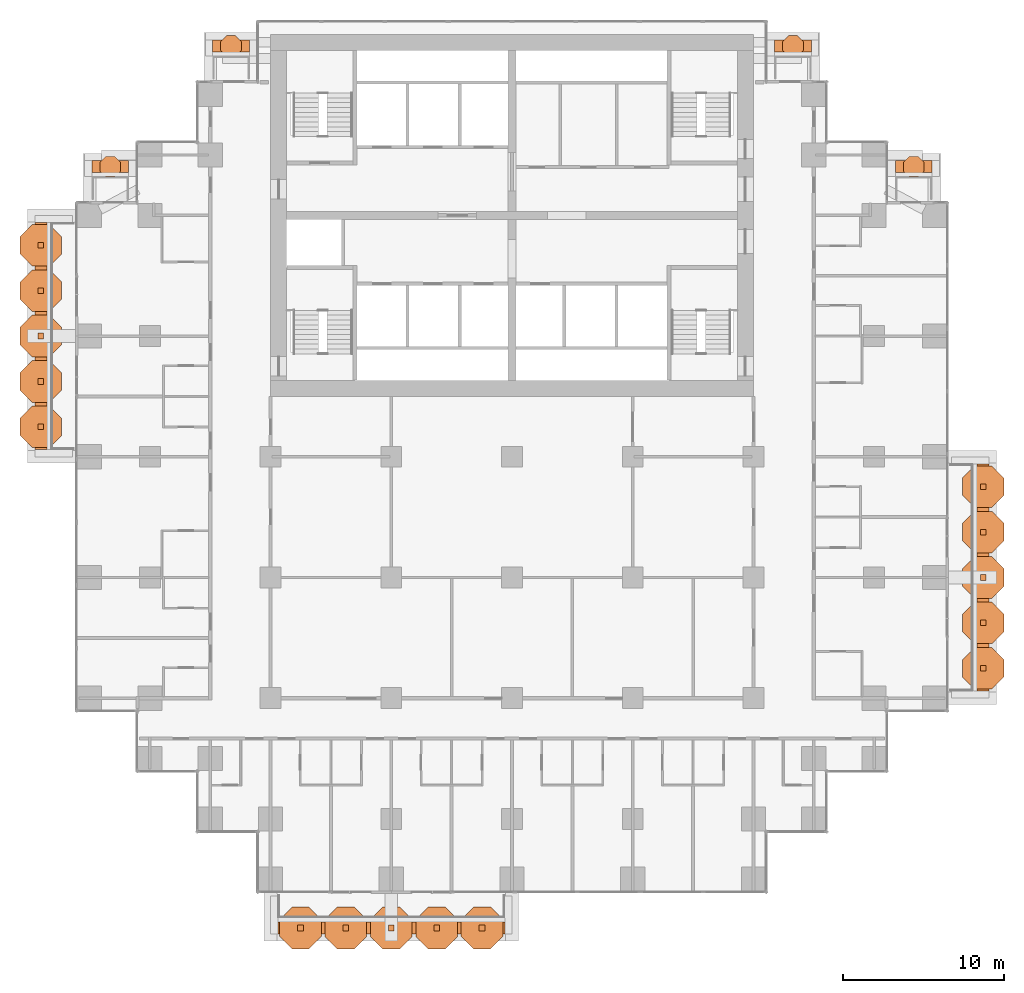
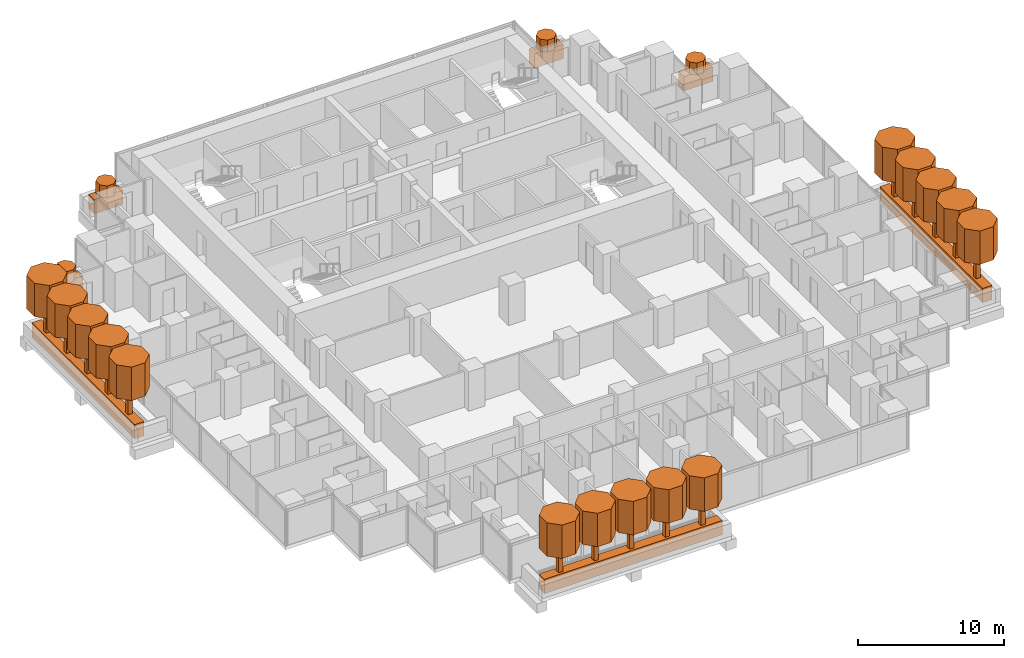
# One storey, part 19 of 19: 41 geographic elements.
"""IFC4 building model written with IfcOpenShell, lengths in metres."""

from ifc_helpers import new_model, si_unit, direction, frame, origin, origin_2d, place, context, subcontext, project, spatial, polyline, rectangle, outline, extrude, material, material_profile, profile_set, type_object, element, save


model = new_model("IFC4")

# Units and contexts
model_context = context("Model", 3, precision=1e-05, world=origin(), true_north=direction((0.0, 1.0)))
body_context = subcontext(model_context, "Body", "Model", "MODEL_VIEW")
ifc_project = project(units=[si_unit("LENGTHUNIT", "METRE"), si_unit("AREAUNIT", "SQUARE_METRE"), si_unit("VOLUMEUNIT", "CUBIC_METRE"), si_unit("PLANEANGLEUNIT", "RADIAN"), si_unit("MASSUNIT", "GRAM", prefix="KILO")], contexts=[model_context])

# Site, building, storey
site_placement = place(None, origin())
site = spatial("IfcSite", under=ifc_project, at=site_placement, CompositionType="ELEMENT")
building_placement = place(site_placement, origin())
building = spatial("IfcBuilding", under=site, at=building_placement, Name="Pilkhan Gate Tower", CompositionType="ELEMENT")
storey_placement = place(building_placement, frame((0.0, 0.0, 69.199951171875)))
storey = spatial("IfcBuildingStorey", under=building, at=storey_placement, Name="L15", CompositionType="ELEMENT", Elevation=69.199951171875)

# Geographic elements
ifc_material_1 = material(Name="Foliage")
ifc_material_profile_1 = material_profile(ifc_material_1, rectangle(XDim=0.75, YDim=1.199951171875, at=origin_2d()), Name="Bed 750x1200")
ifc_profile_set_1 = profile_set([ifc_material_profile_1], Name="Foliage")
geographic_element_type_1 = type_object("IfcGeographicElementType", Name="Planting bed PB1", PredefinedType="USERDEFINED", material=ifc_profile_set_1)
for number, where, z_axis, x_axis, name in (
    (1, (60.449951171875, 38.22509765625, 0.60009765625), (1.0, 0.0, 0.0), (0.0, 1.0, 0.0), "Balcony L15 S planting bed"),
    (2, (104.27490234375, 52.949951171875, 0.60009765625), (0.0, 1.0, 0.0), (-1.0, 0.0, 0.0), "Balcony L15 E planting bed"),
):
    element("IfcGeographicElement", number, at=place(storey_placement, frame(where, z_axis=z_axis, x_axis=x_axis)), inside=storey, type_object=geographic_element_type_1, Name=name, ObjectType="PLANTING BED", PredefinedType="USERDEFINED", context=body_context, shape_type="SweptSolid", body=[
        extrude(rectangle(XDim=0.75, YDim=1.199951171875, at=origin_2d()), origin(), (0.0, 0.0, 1.0), 14.10009765625),
    ])
for number, where, z_axis, x_axis, name in (
    (3, (56.39990234375, 93.02490234375, 0.60009765625), (1.0, 0.0, 0.0), (0.0, 1.0, 0.0), "Balcony L15 N planting bed"),
    (4, (91.300048828125, 93.02490234375, 0.60009765625), (1.0, 0.0, 0.0), (0.0, 1.0, 0.0), "Balcony L15 N planting bed"),
):
    element("IfcGeographicElement", number, at=place(storey_placement, frame(where, z_axis=z_axis, x_axis=x_axis)), inside=storey, type_object=geographic_element_type_1, Name=name, ObjectType="PLANTING BED", PredefinedType="USERDEFINED", context=body_context, shape_type="SweptSolid", body=[
        extrude(rectangle(XDim=0.75, YDim=1.199951171875, at=origin_2d()), origin(), (0.0, 0.0, 1.0), 2.300048828125),
    ])
for number, where, z_axis, x_axis, name in (
    (5, (48.89990234375, 85.52490234375, 0.60009765625), (1.0, 0.0, 0.0), (0.0, 1.0, 0.0), "Balcony L15 N planting bed"),
    (6, (98.820068359375, 85.52490234375, 0.60009765625), (1.0, 0.0, 0.0), (0.0, 1.0, 0.0), "Balcony L15 N planting bed"),
):
    element("IfcGeographicElement", number, at=place(storey_placement, frame(where, z_axis=z_axis, x_axis=x_axis)), inside=storey, type_object=geographic_element_type_1, Name=name, ObjectType="PLANTING BED", PredefinedType="USERDEFINED", context=body_context, shape_type="SweptSolid", body=[
        extrude(rectangle(XDim=0.75, YDim=1.199951171875, at=origin_2d()), origin(), (0.0, 0.0, 1.0), 2.280029296875),
    ])
geographic_element_placement = place(storey_placement, frame((45.72509765625, 67.949951171875, 0.60009765625), z_axis=(0.0, 1.0, 0.0), x_axis=(-1.0, 0.0, 0.0)))
element("IfcGeographicElement", 7, at=geographic_element_placement, inside=storey, type_object=geographic_element_type_1, Name="Balcony L15 W planting bed", ObjectType="PLANTING BED", PredefinedType="USERDEFINED", context=body_context, shape_type="SweptSolid", body=[
    extrude(rectangle(XDim=0.75, YDim=1.199951171875, at=origin_2d()), origin(), (0.0, 0.0, 1.0), 14.10009765625),
])
ifc_material_profile_2 = material_profile(ifc_material_1, outline(polyline([(0.646728515625, 0.267822265625), (0.267822265625, 0.646728515625), (-0.267822265625, 0.646728515625), (-0.646728515625, 0.267822265625), (-0.646728515625, -0.267822265625), (-0.267822265625, -0.646728515625), (0.267822265625, -0.646728515625), (0.646728515625, -0.267822265625), (0.646728515625, 0.267822265625)])), Name="Shrub D1.4")
ifc_profile_set_2 = profile_set([ifc_material_profile_2], Name="Foliage")
geographic_element_type_2 = type_object("IfcGeographicElementType", Name="Shrub SH07", PredefinedType="USERDEFINED", material=ifc_profile_set_2)
for number, where, z_axis, x_axis, name in (
    (8, (57.550048828125, 93.02490234375, 1.199951171875), (0.0, 0.0, 1.0), (1.0, 0.0, 0.0), "Shrub L15 N 1"),
    (9, (92.449951171875, 93.02490234375, 1.199951171875), (0.0, 0.0, 1.0), (1.0, 0.0, 0.0), "Shrub L15 N 1"),
    (10, (50.0400390625, 85.52490234375, 1.199951171875), (0.0, 0.0, 1.0), (1.0, 0.0, 0.0), "Shrub L15 N 1"),
    (11, (99.9599609375, 85.52490234375, 1.199951171875), (0.0, 0.0, 1.0), (1.0, 0.0, 0.0), "Shrub L15 N 1"),
):
    element("IfcGeographicElement", number, at=place(storey_placement, frame(where, z_axis=z_axis, x_axis=x_axis)), inside=storey, type_object=geographic_element_type_2, Name=name, ObjectType="SHRUB", PredefinedType="USERDEFINED", context=body_context, shape_type="SweptSolid", body=[
        extrude(outline(polyline([(0.646728515625, 0.267822265625), (0.267822265625, 0.646728515625), (-0.267822265625, 0.646728515625), (-0.646728515625, 0.267822265625), (-0.646728515625, -0.267822265625), (-0.267822265625, -0.646728515625), (0.267822265625, -0.646728515625), (0.646728515625, -0.267822265625), (0.646728515625, 0.267822265625)])), origin(), (0.0, 0.0, 1.0), 1.0),
    ])
ifc_material_profile_3 = material_profile(ifc_material_1, outline(polyline([(1.29345703125, 0.535888671875), (0.535888671875, 1.29345703125), (-0.535888671875, 1.29345703125), (-1.29345703125, 0.535888671875), (-1.29345703125, -0.535888671875), (-0.535888671875, -1.29345703125), (0.535888671875, -1.29345703125), (1.29345703125, -0.535888671875), (1.29345703125, 0.535888671875)])), Name="Canopy D2.8")
ifc_profile_set_3 = profile_set([ifc_material_profile_3], Name="Foliage")
geographic_element_type_3 = type_object("IfcGeographicElementType", Name="Tree canopy TC14", PredefinedType="USERDEFINED", material=ifc_profile_set_3)
for number, where, z_axis, x_axis, name in (
    (12, (61.860107421875, 38.22509765625, 3.199951171875), (0.0, 0.0, 1.0), (1.0, 0.0, 0.0), "Tree L15 S 1 canopy"),
    (13, (64.679931640625, 38.22509765625, 3.199951171875), (0.0, 0.0, 1.0), (1.0, 0.0, 0.0), "Tree L15 S 2 canopy"),
    (14, (67.5, 38.22509765625, 3.199951171875), (0.0, 0.0, 1.0), (1.0, 0.0, 0.0), "Tree L15 S 3 canopy"),
    (15, (70.320068359375, 38.22509765625, 3.199951171875), (0.0, 0.0, 1.0), (1.0, 0.0, 0.0), "Tree L15 S 4 canopy"),
    (16, (73.139892578125, 38.22509765625, 3.199951171875), (0.0, 0.0, 1.0), (1.0, 0.0, 0.0), "Tree L15 S 5 canopy"),
    (17, (104.27490234375, 54.360107421875, 3.199951171875), (0.0, 0.0, 1.0), (1.0, 0.0, 0.0), "Tree L15 E 1 canopy"),
    (18, (104.27490234375, 57.179931640625, 3.199951171875), (0.0, 0.0, 1.0), (1.0, 0.0, 0.0), "Tree L15 E 2 canopy"),
    (19, (104.27490234375, 60.0, 3.199951171875), (0.0, 0.0, 1.0), (1.0, 0.0, 0.0), "Tree L15 E 3 canopy"),
    (20, (104.27490234375, 62.820068359375, 3.199951171875), (0.0, 0.0, 1.0), (1.0, 0.0, 0.0), "Tree L15 E 4 canopy"),
    (21, (104.27490234375, 65.639892578125, 3.199951171875), (0.0, 0.0, 1.0), (1.0, 0.0, 0.0), "Tree L15 E 5 canopy"),
    (22, (45.72509765625, 69.360107421875, 3.199951171875), (0.0, 0.0, 1.0), (1.0, 0.0, 0.0), "Tree L15 W 1 canopy"),
    (23, (45.72509765625, 72.179931640625, 3.199951171875), (0.0, 0.0, 1.0), (1.0, 0.0, 0.0), "Tree L15 W 2 canopy"),
    (24, (45.72509765625, 75.0, 3.199951171875), (0.0, 0.0, 1.0), (1.0, 0.0, 0.0), "Tree L15 W 3 canopy"),
    (25, (45.72509765625, 77.820068359375, 3.199951171875), (0.0, 0.0, 1.0), (1.0, 0.0, 0.0), "Tree L15 W 4 canopy"),
    (26, (45.72509765625, 80.639892578125, 3.199951171875), (0.0, 0.0, 1.0), (1.0, 0.0, 0.0), "Tree L15 W 5 canopy"),
):
    element("IfcGeographicElement", number, at=place(storey_placement, frame(where, z_axis=z_axis, x_axis=x_axis)), inside=storey, type_object=geographic_element_type_3, Name=name, ObjectType="TREE", PredefinedType="USERDEFINED", context=body_context, shape_type="SweptSolid", body=[
        extrude(outline(polyline([(1.29345703125, 0.535888671875), (0.535888671875, 1.29345703125), (-0.535888671875, 1.29345703125), (-1.29345703125, 0.535888671875), (-1.29345703125, -0.535888671875), (-0.535888671875, -1.29345703125), (0.535888671875, -1.29345703125), (1.29345703125, -0.535888671875), (1.29345703125, 0.535888671875)])), origin(), (0.0, 0.0, 1.0), 2.800048828125),
    ])
ifc_material_2 = material(Name="Timber trunk", Category="wood")
geographic_element_type_4 = type_object("IfcGeographicElementType", Name="Tree trunk TT1", PredefinedType="USERDEFINED", material=ifc_material_2)
for number, where, z_axis, x_axis, name in (
    (27, (61.860107421875, 38.22509765625, 1.199951171875), (0.0, 0.0, 1.0), (1.0, 0.0, 0.0), "Tree L15 S 1 trunk"),
    (28, (64.679931640625, 38.22509765625, 1.199951171875), (0.0, 0.0, 1.0), (1.0, 0.0, 0.0), "Tree L15 S 2 trunk"),
    (29, (67.5, 38.22509765625, 1.199951171875), (0.0, 0.0, 1.0), (1.0, 0.0, 0.0), "Tree L15 S 3 trunk"),
    (30, (70.320068359375, 38.22509765625, 1.199951171875), (0.0, 0.0, 1.0), (1.0, 0.0, 0.0), "Tree L15 S 4 trunk"),
    (31, (73.139892578125, 38.22509765625, 1.199951171875), (0.0, 0.0, 1.0), (1.0, 0.0, 0.0), "Tree L15 S 5 trunk"),
    (32, (104.27490234375, 54.360107421875, 1.199951171875), (0.0, 0.0, 1.0), (1.0, 0.0, 0.0), "Tree L15 E 1 trunk"),
    (33, (104.27490234375, 57.179931640625, 1.199951171875), (0.0, 0.0, 1.0), (1.0, 0.0, 0.0), "Tree L15 E 2 trunk"),
    (34, (104.27490234375, 60.0, 1.199951171875), (0.0, 0.0, 1.0), (1.0, 0.0, 0.0), "Tree L15 E 3 trunk"),
    (35, (104.27490234375, 62.820068359375, 1.199951171875), (0.0, 0.0, 1.0), (1.0, 0.0, 0.0), "Tree L15 E 4 trunk"),
    (36, (104.27490234375, 65.639892578125, 1.199951171875), (0.0, 0.0, 1.0), (1.0, 0.0, 0.0), "Tree L15 E 5 trunk"),
    (37, (45.72509765625, 69.360107421875, 1.199951171875), (0.0, 0.0, 1.0), (1.0, 0.0, 0.0), "Tree L15 W 1 trunk"),
    (38, (45.72509765625, 72.179931640625, 1.199951171875), (0.0, 0.0, 1.0), (1.0, 0.0, 0.0), "Tree L15 W 2 trunk"),
    (39, (45.72509765625, 75.0, 1.199951171875), (0.0, 0.0, 1.0), (1.0, 0.0, 0.0), "Tree L15 W 3 trunk"),
    (40, (45.72509765625, 77.820068359375, 1.199951171875), (0.0, 0.0, 1.0), (1.0, 0.0, 0.0), "Tree L15 W 4 trunk"),
    (41, (45.72509765625, 80.639892578125, 1.199951171875), (0.0, 0.0, 1.0), (1.0, 0.0, 0.0), "Tree L15 W 5 trunk"),
):
    element("IfcGeographicElement", number, at=place(storey_placement, frame(where, z_axis=z_axis, x_axis=x_axis)), inside=storey, type_object=geographic_element_type_4, Name=name, ObjectType="TREE", PredefinedType="USERDEFINED", context=body_context, shape_type="SweptSolid", body=[
        extrude(rectangle(XDim=0.35009765625, YDim=0.35009765625, at=origin_2d()), origin(), (0.0, 0.0, 1.0), 2.0),
    ])

save(model, "model.ifc")
